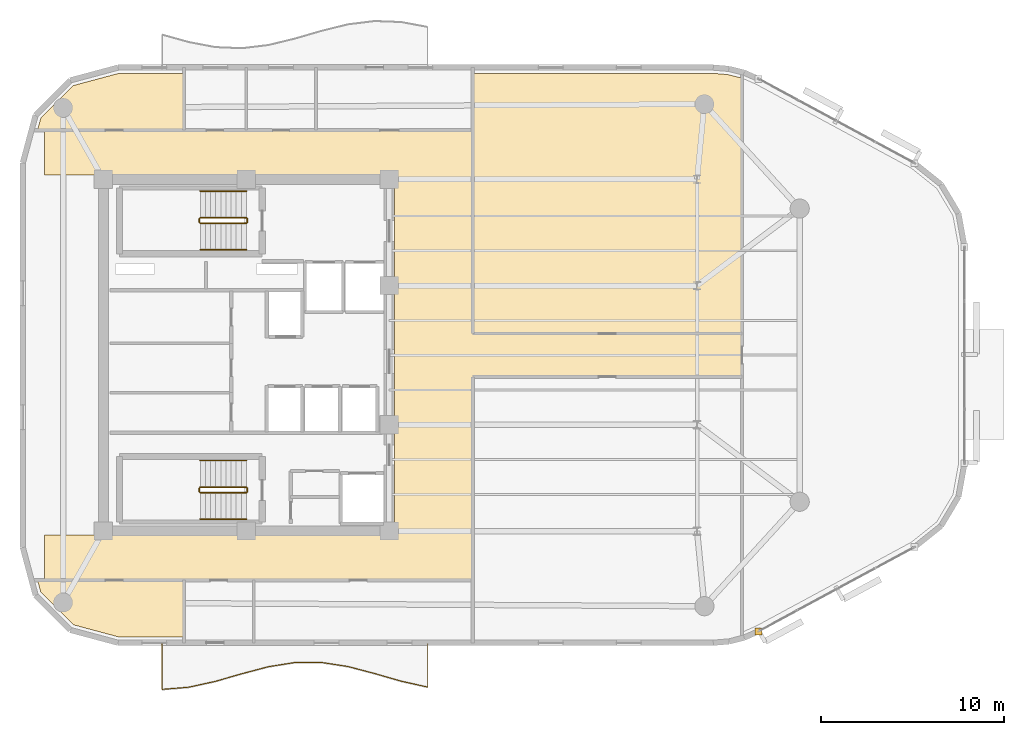
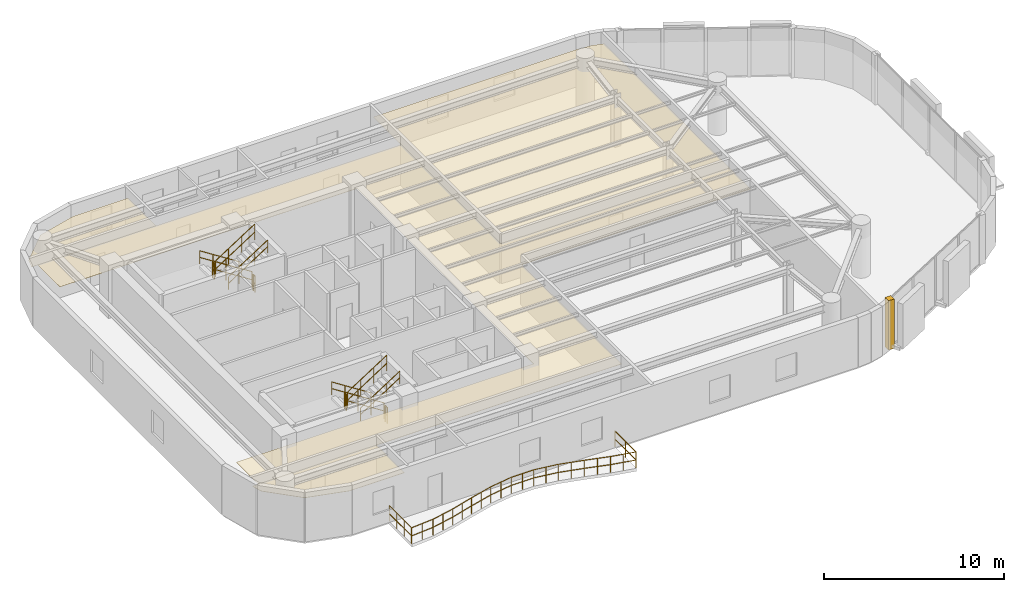
# One storey, part 12 of 13: 13 railings, 5 coverings.
"""IFC4 building model written with IfcOpenShell, lengths in metres."""

from ifc_helpers import new_model, si_unit, direction, frame, origin, origin_2d, place, context, subcontext, project, spatial, polyline, rectangle, circle, outline, extrude, material, layer, layer_set, type_object, element, save


model = new_model("IFC4")

# Units and contexts
model_context = context("Model", 3, precision=1e-05, world=origin(), true_north=direction((0.0, 1.0)))
body_context = subcontext(model_context, "Body", "Model", "MODEL_VIEW")
ifc_project = project(units=[si_unit("LENGTHUNIT", "METRE"), si_unit("AREAUNIT", "SQUARE_METRE"), si_unit("VOLUMEUNIT", "CUBIC_METRE"), si_unit("PLANEANGLEUNIT", "RADIAN"), si_unit("MASSUNIT", "GRAM", prefix="KILO")], contexts=[model_context])

# Site, building, storey
site_placement = place(None, origin())
site = spatial("IfcSite", under=ifc_project, at=site_placement, CompositionType="ELEMENT")
building_placement = place(site_placement, origin())
building = spatial("IfcBuilding", under=site, at=building_placement, Name="An Khanh Terracotta Commons", CompositionType="ELEMENT")
storey_placement = place(building_placement, frame((0.0, 0.0, 244.5)))
storey = spatial("IfcBuildingStorey", under=building, at=storey_placement, Name="L64", CompositionType="ELEMENT", Elevation=244.5)

# Coverings
ifc_material_1 = material(Name="Perforated Mineral-Fibre Acoustic Tile")
ifc_layer_1 = layer(ifc_material_1, 0.02001953125, Name="Perforated Mineral-Fibre Acoustic Tile")
ifc_layer_set_1 = layer_set([ifc_layer_1], Name="Perforated Mineral-Fibre Acoustic Tile")
covering_type_1 = type_object("IfcCoveringType", Name="CEIL-ACOUSTIC-18", PredefinedType="CEILING", material=ifc_layer_set_1)
covering_1_placement = place(storey_placement, frame((0.0, 0.0, 2.64990234375)))
element("IfcCovering", 1, at=covering_1_placement, inside=storey, type_object=covering_type_1, Name="L64 Corridor Ceiling", PredefinedType="CEILING", context=body_context, shape_type="SweptSolid", body=[
    extrude(outline(polyline([(18.39990234375, 11.719970703125), (18.39990234375, 14.179931640625), (37.5, 14.179931640625), (37.5, 33.820068359375), (18.39990234375, 33.820068359375), (18.39990234375, 36.280029296875), (37.5, 36.280029296875), (41.75, 36.280029296875), (41.75, 33.820068359375), (41.75, 25.179931640625), (56.449951171875, 25.179931640625), (56.449951171875, 22.820068359375), (41.75, 22.820068359375), (41.75, 14.179931640625), (41.75, 11.719970703125), (37.5, 11.719970703125), (18.39990234375, 11.719970703125)])), origin(), (0.0, 0.0, 1.0), 0.02001953125),
])
covering_2_placement = place(storey_placement, frame((0.0, 0.0, 2.64990234375)))
element("IfcCovering", 2, at=covering_2_placement, inside=storey, type_object=covering_type_1, Name="L64 Collaborative Study Lounge Ceiling", PredefinedType="CEILING", context=body_context, shape_type="SweptSolid", body=[
    extrude(outline(polyline([(54.8720703125, 39.3798828125), (55.68701171875, 39.31201171875), (56.449951171875, 39.1201171875), (56.449951171875, 25.179931640625), (41.75, 25.179931640625), (41.75, 33.820068359375), (41.75, 36.280029296875), (41.75, 39.3798828125), (54.8720703125, 39.3798828125)])), origin(), (0.0, 0.0, 1.0), 0.02001953125),
])
covering_3_placement = place(storey_placement, frame((0.0, 0.0, 2.64990234375)))
element("IfcCovering", 3, at=covering_3_placement, inside=storey, type_object=covering_type_1, Name="L64 Student Reading Library Ceiling", PredefinedType="CEILING", context=body_context, shape_type="SweptSolid", body=[
    extrude(outline(polyline([(22.44189453125, 39.3798828125), (26.0, 39.3798828125), (26.0, 39.35009765625), (26.0, 36.280029296875), (18.39990234375, 36.280029296875), (18.008056640625, 36.280029296875), (18.18408203125, 36.93408203125), (19.966064453125, 38.716064453125), (22.44189453125, 39.3798828125)])), origin(), (0.0, 0.0, 1.0), 0.02001953125),
])
covering_4_placement = place(storey_placement, frame((0.0, 0.0, 2.64990234375)))
element("IfcCovering", 4, at=covering_4_placement, inside=storey, type_object=covering_type_1, Name="L64 Academic Seminar Room Ceiling", PredefinedType="CEILING", context=body_context, shape_type="SweptSolid", body=[
    extrude(outline(polyline([(22.44189453125, 8.6201171875), (19.966064453125, 9.283935546875), (18.18408203125, 11.06591796875), (18.008056640625, 11.719970703125), (18.39990234375, 11.719970703125), (26.0, 11.719970703125), (26.0, 8.64990234375), (26.0, 8.6201171875), (22.44189453125, 8.6201171875)])), origin(), (0.0, 0.0, 1.0), 0.02001953125),
])
ifc_material_2 = material(Name="Fired Terracotta Rainscreen Cladding", Category="masonry")
ifc_layer_2 = layer(ifc_material_2, 0.080078125, Name="Fired Terracotta Rainscreen Cladding")
ifc_layer_set_2 = layer_set([ifc_layer_2], Name="Fired Terracotta Rainscreen Cladding")
covering_type_2 = type_object("IfcCoveringType", Name="COV-JAMB-TERRA", PredefinedType="CLADDING", material=ifc_layer_set_2)
covering_5_placement = place(storey_placement, frame((57.35693359375, 8.925048828125, 0.0), z_axis=(0.0, 0.0, 1.0), x_axis=(1.0, 0.0, 0.0)))
element("IfcCovering", 5, at=covering_5_placement, inside=storey, type_object=covering_type_2, Name="L64 CW-03 Curtain-Wall Jamb Closure JA", PredefinedType="CLADDING", context=body_context, shape_type="SweptSolid", body=[
    extrude(rectangle(XDim=0.3798828125, YDim=0.3798828125, at=origin_2d()), origin(), (0.0, 0.0, 1.0), 3.360107421875),
])

# Railings
ifc_material_3 = material(Name="Brushed Stainless Steel 316", Category="steel")
railing_type_1 = type_object("IfcRailingType", Name="RAIL-BALUSTRADE-1100", PredefinedType="BALUSTRADE", material=ifc_material_3)
railing_1_placement = place(storey_placement, frame((24.800048828125, 8.239990234375, 0.0)))
element("IfcRailing", 6, at=railing_1_placement, inside=storey, type_object=railing_type_1, Name="L64 S Wave Balcony Guard Balustrade", PredefinedType="BALUSTRADE", context=body_context, shape_type="SweptSolid", body=[
    extrude(circle(Radius=0.02392578125, at=origin_2d()), frame((0.0, 0.0, 1.076171875), z_axis=(0.0, -1.0, 0.0), x_axis=(1.0, 0.0, 0.0)), (0.0, 0.0, 1.0), 2.47998046875),
    extrude(circle(Radius=0.02392578125, at=origin_2d()), frame((0.0, 0.0, 0.52587890625), z_axis=(0.0, -1.0, 0.0), x_axis=(1.0, 0.0, 0.0)), (0.0, 0.0, 1.0), 2.47998046875),
    extrude(circle(Radius=0.02392578125, at=origin_2d()), frame((0.0, -2.47998046875, 1.076171875), z_axis=(0.996709288689, 0.081059199602, 0.0), x_axis=(-0.081059199602, 0.996709288689, 0.0)), (0.0, 0.0, 1.0), 1.454833984375),
    extrude(circle(Radius=0.02392578125, at=origin_2d()), frame((0.0, -2.47998046875, 0.52587890625), z_axis=(0.996709288689, 0.081059199602, 0.0), x_axis=(-0.081059199602, 0.996709288689, 0.0)), (0.0, 0.0, 1.0), 1.454833984375),
    extrude(circle(Radius=0.02392578125, at=origin_2d()), frame((1.449951171875, -2.362060546875, 1.076171875), z_axis=(0.976767859209, 0.214300138163, 0.0), x_axis=(-0.214300138163, 0.976767859209, 0.0)), (0.0, 0.0, 1.0), 1.484375),
    extrude(circle(Radius=0.02392578125, at=origin_2d()), frame((1.449951171875, -2.362060546875, 0.52587890625), z_axis=(0.976767859209, 0.214300138163, 0.0), x_axis=(-0.214300138163, 0.976767859209, 0.0)), (0.0, 0.0, 1.0), 1.484375),
    extrude(circle(Radius=0.02392578125, at=origin_2d()), frame((2.89990234375, -2.0439453125, 1.076171875), z_axis=(0.961046203514, 0.276387761509, 0.0), x_axis=(-0.276387761509, 0.961046203514, 0.0)), (0.0, 0.0, 1.0), 1.5087890625),
    extrude(circle(Radius=0.02392578125, at=origin_2d()), frame((2.89990234375, -2.0439453125, 0.52587890625), z_axis=(0.961046203514, 0.276387761509, 0.0), x_axis=(-0.276387761509, 0.961046203514, 0.0)), (0.0, 0.0, 1.0), 1.5087890625),
    extrude(circle(Radius=0.02392578125, at=origin_2d()), frame((4.349853515625, -1.626953125, 1.076171875), z_axis=(0.966679173832, 0.255990966404, 0.0), x_axis=(-0.255990966404, 0.966679173832, 0.0)), (0.0, 0.0, 1.0), 1.500244140625),
    extrude(circle(Radius=0.02392578125, at=origin_2d()), frame((4.349853515625, -1.626953125, 0.52587890625), z_axis=(0.966679173832, 0.255990966404, 0.0), x_axis=(-0.255990966404, 0.966679173832, 0.0)), (0.0, 0.0, 1.0), 1.500244140625),
    extrude(circle(Radius=0.02392578125, at=origin_2d()), frame((5.800048828125, -1.242919921875, 1.076171875), z_axis=(0.987550382768, 0.157303024431, 0.0), x_axis=(-0.157303024431, 0.987550382768, 0.0)), (0.0, 0.0, 1.0), 1.46826171875),
    extrude(circle(Radius=0.02392578125, at=origin_2d()), frame((5.800048828125, -1.242919921875, 0.52587890625), z_axis=(0.987550382768, 0.157303024431, 0.0), x_axis=(-0.157303024431, 0.987550382768, 0.0)), (0.0, 0.0, 1.0), 1.46826171875),
    extrude(circle(Radius=0.02392578125, at=origin_2d()), frame((7.25, -1.011962890625, 1.076171875), z_axis=(0.99999637105, 0.002694046462, 0.0), x_axis=(-0.002694046462, 0.99999637105, 0.0)), (0.0, 0.0, 1.0), 1.449951171875),
    extrude(circle(Radius=0.02392578125, at=origin_2d()), frame((7.25, -1.011962890625, 0.52587890625), z_axis=(0.99999637105, 0.002694046462, 0.0), x_axis=(-0.002694046462, 0.99999637105, 0.0)), (0.0, 0.0, 1.0), 1.449951171875),
    extrude(circle(Radius=0.02392578125, at=origin_2d()), frame((8.699951171875, -1.008056640625, 1.076171875), z_axis=(0.988288829033, -0.152594857084, 0.0), x_axis=(0.152594857084, 0.988288829033, 0.0)), (0.0, 0.0, 1.0), 1.467041015625),
    extrude(circle(Radius=0.02392578125, at=origin_2d()), frame((8.699951171875, -1.008056640625, 0.52587890625), z_axis=(0.988288829033, -0.152594857084, 0.0), x_axis=(0.152594857084, 0.988288829033, 0.0)), (0.0, 0.0, 1.0), 1.467041015625),
    extrude(circle(Radius=0.02392578125, at=origin_2d()), frame((10.14990234375, -1.23193359375, 1.076171875), z_axis=(0.96715043339, -0.254204719064, 0.0), x_axis=(0.254204719064, 0.96715043339, 0.0)), (0.0, 0.0, 1.0), 1.499267578125),
    extrude(circle(Radius=0.02392578125, at=origin_2d()), frame((10.14990234375, -1.23193359375, 0.52587890625), z_axis=(0.96715043339, -0.254204719064, 0.0), x_axis=(0.254204719064, 0.96715043339, 0.0)), (0.0, 0.0, 1.0), 1.499267578125),
    extrude(circle(Radius=0.02392578125, at=origin_2d()), frame((11.599853515625, -1.613037109375, 1.076171875), z_axis=(0.960886527321, -0.276942379591, 0.0), x_axis=(0.276942379591, 0.960886527321, 0.0)), (0.0, 0.0, 1.0), 1.50927734375),
    extrude(circle(Radius=0.02392578125, at=origin_2d()), frame((11.599853515625, -1.613037109375, 0.52587890625), z_axis=(0.960886527321, -0.276942379591, 0.0), x_axis=(0.276942379591, 0.960886527321, 0.0)), (0.0, 0.0, 1.0), 1.50927734375),
    extrude(circle(Radius=0.02392578125, at=origin_2d()), frame((13.050048828125, -2.031005859375, 1.076171875), z_axis=(0.97607478502, -0.217435080078, 0.0), x_axis=(0.217435080078, 0.97607478502, 0.0)), (0.0, 0.0, 1.0), 1.485595703125),
    extrude(circle(Radius=0.02392578125, at=origin_2d()), frame((13.050048828125, -2.031005859375, 0.52587890625), z_axis=(0.97607478502, -0.217435080078, 0.0), x_axis=(0.217435080078, 0.97607478502, 0.0)), (0.0, 0.0, 1.0), 1.485595703125),
    extrude(circle(Radius=0.02392578125, at=origin_2d()), frame((14.5, -2.35400390625, 1.076171875), z_axis=(0.0, 1.0, 0.0), x_axis=(-1.0, 0.0, 0.0)), (0.0, 0.0, 1.0), 2.35400390625),
    extrude(circle(Radius=0.02392578125, at=origin_2d()), frame((14.5, -2.35400390625, 0.52587890625), z_axis=(0.0, 1.0, 0.0), x_axis=(-1.0, 0.0, 0.0)), (0.0, 0.0, 1.0), 2.35400390625),
    extrude(circle(Radius=0.02099609375, at=origin_2d()), origin(), (0.0, 0.0, 1.0), 1.052001953125),
    extrude(circle(Radius=0.02099609375, at=origin_2d()), frame((0.0, -0.82666015625, 0.0)), (0.0, 0.0, 1.0), 1.052001953125),
    extrude(circle(Radius=0.02099609375, at=origin_2d()), frame((0.0, -1.6533203125, 0.0)), (0.0, 0.0, 1.0), 1.052001953125),
    extrude(circle(Radius=0.02099609375, at=origin_2d()), frame((0.0, -2.47998046875, 0.0)), (0.0, 0.0, 1.0), 1.052001953125),
    extrude(circle(Radius=0.02099609375, at=origin_2d()), frame((0.72509765625, -2.4208984375, 0.0)), (0.0, 0.0, 1.0), 1.052001953125),
    extrude(circle(Radius=0.02099609375, at=origin_2d()), frame((1.449951171875, -2.362060546875, 0.0)), (0.0, 0.0, 1.0), 1.052001953125),
    extrude(circle(Radius=0.02099609375, at=origin_2d()), frame((2.1748046875, -2.203125, 0.0)), (0.0, 0.0, 1.0), 1.052001953125),
    extrude(circle(Radius=0.02099609375, at=origin_2d()), frame((2.89990234375, -2.0439453125, 0.0)), (0.0, 0.0, 1.0), 1.052001953125),
    extrude(circle(Radius=0.02099609375, at=origin_2d()), frame((3.625, -1.83544921875, 0.0)), (0.0, 0.0, 1.0), 1.052001953125),
    extrude(circle(Radius=0.02099609375, at=origin_2d()), frame((4.349853515625, -1.626953125, 0.0)), (0.0, 0.0, 1.0), 1.052001953125),
    extrude(circle(Radius=0.02099609375, at=origin_2d()), frame((5.074951171875, -1.43505859375, 0.0)), (0.0, 0.0, 1.0), 1.052001953125),
    extrude(circle(Radius=0.02099609375, at=origin_2d()), frame((5.800048828125, -1.242919921875, 0.0)), (0.0, 0.0, 1.0), 1.052001953125),
    extrude(circle(Radius=0.02099609375, at=origin_2d()), frame((6.52490234375, -1.12744140625, 0.0)), (0.0, 0.0, 1.0), 1.052001953125),
    extrude(circle(Radius=0.02099609375, at=origin_2d()), frame((7.25, -1.011962890625, 0.0)), (0.0, 0.0, 1.0), 1.052001953125),
    extrude(circle(Radius=0.02099609375, at=origin_2d()), frame((7.97509765625, -1.010009765625, 0.0)), (0.0, 0.0, 1.0), 1.052001953125),
    extrude(circle(Radius=0.02099609375, at=origin_2d()), frame((8.699951171875, -1.008056640625, 0.0)), (0.0, 0.0, 1.0), 1.052001953125),
    extrude(circle(Radius=0.02099609375, at=origin_2d()), frame((9.4248046875, -1.1201171875, 0.0)), (0.0, 0.0, 1.0), 1.052001953125),
    extrude(circle(Radius=0.02099609375, at=origin_2d()), frame((10.14990234375, -1.23193359375, 0.0)), (0.0, 0.0, 1.0), 1.052001953125),
    extrude(circle(Radius=0.02099609375, at=origin_2d()), frame((10.875, -1.42236328125, 0.0)), (0.0, 0.0, 1.0), 1.052001953125),
    extrude(circle(Radius=0.02099609375, at=origin_2d()), frame((11.599853515625, -1.613037109375, 0.0)), (0.0, 0.0, 1.0), 1.052001953125),
    extrude(circle(Radius=0.02099609375, at=origin_2d()), frame((12.324951171875, -1.822021484375, 0.0)), (0.0, 0.0, 1.0), 1.052001953125),
    extrude(circle(Radius=0.02099609375, at=origin_2d()), frame((13.050048828125, -2.031005859375, 0.0)), (0.0, 0.0, 1.0), 1.052001953125),
    extrude(circle(Radius=0.02099609375, at=origin_2d()), frame((13.77490234375, -2.1923828125, 0.0)), (0.0, 0.0, 1.0), 1.052001953125),
    extrude(circle(Radius=0.02099609375, at=origin_2d()), frame((14.5, -2.35400390625, 0.0)), (0.0, 0.0, 1.0), 1.052001953125),
    extrude(circle(Radius=0.02099609375, at=origin_2d()), frame((14.5, -1.177001953125, 0.0)), (0.0, 0.0, 1.0), 1.052001953125),
    extrude(circle(Radius=0.02099609375, at=origin_2d()), frame((14.5, 0.0, 0.0)), (0.0, 0.0, 1.0), 1.052001953125),
])
railing_type_2 = type_object("IfcRailingType", Name="RAIL-HANDRAIL-900", PredefinedType="HANDRAIL", material=ifc_material_3)
railing_2_placement = place(storey_placement, frame((29.409912109375, 32.949951171875, 0.179931640625)))
element("IfcRailing", 7, at=railing_2_placement, inside=storey, type_object=railing_type_2, Name="L64 ST-01 stair handrail 1", PredefinedType="HANDRAIL", context=body_context, shape_type="SweptSolid", body=[
    extrude(circle(Radius=0.02392578125, at=origin_2d()), frame((0.0, 0.0, 0.8759765625), z_axis=(-0.841162588446, 0.0, 0.540782303519), x_axis=(0.0, -1.0, 0.0)), (0.0, 0.0, 1.0), 2.995849609375),
    extrude(circle(Radius=0.02392578125, at=origin_2d()), frame((0.0, 0.0, 0.42578125), z_axis=(-0.841162588446, 0.0, 0.540782303519), x_axis=(0.0, -1.0, 0.0)), (0.0, 0.0, 1.0), 2.995849609375),
    extrude(circle(Radius=0.02099609375, at=origin_2d()), origin(), (0.0, 0.0, 1.0), 0.851806640625),
    extrude(circle(Radius=0.02099609375, at=origin_2d()), frame((-0.840087890625, 0.0, 0.5400390625)), (0.0, 0.0, 1.0), 0.851806640625),
    extrude(circle(Radius=0.02099609375, at=origin_2d()), frame((-1.679931640625, 0.0, 1.080078125)), (0.0, 0.0, 1.0), 0.851806640625),
    extrude(circle(Radius=0.02099609375, at=origin_2d()), frame((-2.52001953125, 0.0, 1.6201171875)), (0.0, 0.0, 1.0), 0.851806640625),
])
railing_3_placement = place(storey_placement, frame((26.889892578125, 29.75, 1.97998046875)))
element("IfcRailing", 8, at=railing_3_placement, inside=storey, type_object=railing_type_2, Name="L64 ST-01 stair handrail 2", PredefinedType="HANDRAIL", context=body_context, shape_type="SweptSolid", body=[
    extrude(circle(Radius=0.02392578125, at=origin_2d()), frame((0.0, 0.0, 0.8759765625), z_axis=(0.841162588446, 0.0, 0.540782303519), x_axis=(0.0, 1.0, 0.0)), (0.0, 0.0, 1.0), 2.995849609375),
    extrude(circle(Radius=0.02392578125, at=origin_2d()), frame((0.0, 0.0, 0.42578125), z_axis=(0.841162588446, 0.0, 0.540782303519), x_axis=(0.0, 1.0, 0.0)), (0.0, 0.0, 1.0), 2.995849609375),
    extrude(circle(Radius=0.02099609375, at=origin_2d()), origin(), (0.0, 0.0, 1.0), 0.851806640625),
    extrude(circle(Radius=0.02099609375, at=origin_2d()), frame((0.840087890625, 0.0, 0.5400390625)), (0.0, 0.0, 1.0), 0.851806640625),
    extrude(circle(Radius=0.02099609375, at=origin_2d()), frame((1.679931640625, 0.0, 1.080078125)), (0.0, 0.0, 1.0), 0.851806640625),
    extrude(circle(Radius=0.02099609375, at=origin_2d()), frame((2.52001953125, 0.0, 1.6201171875)), (0.0, 0.0, 1.0), 0.851806640625),
])
railing_4_placement = place(storey_placement, frame((29.409912109375, 18.25, 0.179931640625)))
element("IfcRailing", 9, at=railing_4_placement, inside=storey, type_object=railing_type_2, Name="L64 ST-02 stair handrail 1", PredefinedType="HANDRAIL", context=body_context, shape_type="SweptSolid", body=[
    extrude(circle(Radius=0.02392578125, at=origin_2d()), frame((0.0, 0.0, 0.8759765625), z_axis=(-0.841162588446, 0.0, 0.540782303519), x_axis=(0.0, -1.0, 0.0)), (0.0, 0.0, 1.0), 2.995849609375),
    extrude(circle(Radius=0.02392578125, at=origin_2d()), frame((0.0, 0.0, 0.42578125), z_axis=(-0.841162588446, 0.0, 0.540782303519), x_axis=(0.0, -1.0, 0.0)), (0.0, 0.0, 1.0), 2.995849609375),
    extrude(circle(Radius=0.02099609375, at=origin_2d()), origin(), (0.0, 0.0, 1.0), 0.851806640625),
    extrude(circle(Radius=0.02099609375, at=origin_2d()), frame((-0.840087890625, 0.0, 0.5400390625)), (0.0, 0.0, 1.0), 0.851806640625),
    extrude(circle(Radius=0.02099609375, at=origin_2d()), frame((-1.679931640625, 0.0, 1.080078125)), (0.0, 0.0, 1.0), 0.851806640625),
    extrude(circle(Radius=0.02099609375, at=origin_2d()), frame((-2.52001953125, 0.0, 1.6201171875)), (0.0, 0.0, 1.0), 0.851806640625),
])
railing_5_placement = place(storey_placement, frame((26.889892578125, 15.050048828125, 1.97998046875)))
element("IfcRailing", 10, at=railing_5_placement, inside=storey, type_object=railing_type_2, Name="L64 ST-02 stair handrail 2", PredefinedType="HANDRAIL", context=body_context, shape_type="SweptSolid", body=[
    extrude(circle(Radius=0.02392578125, at=origin_2d()), frame((0.0, 0.0, 0.8759765625), z_axis=(0.841162588446, 0.0, 0.540782303519), x_axis=(0.0, 1.0, 0.0)), (0.0, 0.0, 1.0), 2.995849609375),
    extrude(circle(Radius=0.02392578125, at=origin_2d()), frame((0.0, 0.0, 0.42578125), z_axis=(0.841162588446, 0.0, 0.540782303519), x_axis=(0.0, 1.0, 0.0)), (0.0, 0.0, 1.0), 2.995849609375),
    extrude(circle(Radius=0.02099609375, at=origin_2d()), origin(), (0.0, 0.0, 1.0), 0.851806640625),
    extrude(circle(Radius=0.02099609375, at=origin_2d()), frame((0.840087890625, 0.0, 0.5400390625)), (0.0, 0.0, 1.0), 0.851806640625),
    extrude(circle(Radius=0.02099609375, at=origin_2d()), frame((1.679931640625, 0.0, 1.080078125)), (0.0, 0.0, 1.0), 0.851806640625),
    extrude(circle(Radius=0.02099609375, at=origin_2d()), frame((2.52001953125, 0.0, 1.6201171875)), (0.0, 0.0, 1.0), 0.851806640625),
])
ifc_material_4 = material(Name="Powder-Coated Steel S355J2", Category="steel")
railing_type_3 = type_object("IfcRailingType", Name="RAIL-STAIR-GUARD-1100", PredefinedType="BALUSTRADE", material=ifc_material_4)
railing_6_placement = place(storey_placement, frame((29.409912109375, 31.5, 0.179931640625)))
element("IfcRailing", 11, at=railing_6_placement, inside=storey, type_object=railing_type_3, Name="L64 ST-01 stair guard 1", PredefinedType="BALUSTRADE", context=body_context, shape_type="SweptSolid", body=[
    extrude(circle(Radius=0.02392578125, at=origin_2d()), frame((0.0, 0.0, 1.076171875), z_axis=(-0.841162588446, 0.0, 0.540782303519), x_axis=(0.0, -1.0, 0.0)), (0.0, 0.0, 1.0), 2.995849609375),
    extrude(circle(Radius=0.02392578125, at=origin_2d()), frame((0.0, 0.0, 0.52587890625), z_axis=(-0.841162588446, 0.0, 0.540782303519), x_axis=(0.0, -1.0, 0.0)), (0.0, 0.0, 1.0), 2.995849609375),
    extrude(circle(Radius=0.02099609375, at=origin_2d()), origin(), (0.0, 0.0, 1.0), 1.052001953125),
    extrude(circle(Radius=0.02099609375, at=origin_2d()), frame((-0.840087890625, 0.0, 0.5400390625)), (0.0, 0.0, 1.0), 1.052001953125),
    extrude(circle(Radius=0.02099609375, at=origin_2d()), frame((-1.679931640625, 0.0, 1.080078125)), (0.0, 0.0, 1.0), 1.052001953125),
    extrude(circle(Radius=0.02099609375, at=origin_2d()), frame((-2.52001953125, 0.0, 1.6201171875)), (0.0, 0.0, 1.0), 1.052001953125),
])
railing_7_placement = place(storey_placement, frame((26.840087890625, 31.449951171875, 1.800048828125)))
element("IfcRailing", 12, at=railing_7_placement, inside=storey, type_object=railing_type_3, Name="L64 ST-01 stair guard 2", PredefinedType="BALUSTRADE", context=body_context, shape_type="SweptSolid", body=[
    extrude(circle(Radius=0.02392578125, at=origin_2d()), frame((0.0, 0.0, 1.076171875), z_axis=(0.0, -1.0, 0.0), x_axis=(1.0, 0.0, 0.0)), (0.0, 0.0, 1.0), 0.199951171875),
    extrude(circle(Radius=0.02392578125, at=origin_2d()), frame((0.0, 0.0, 0.52587890625), z_axis=(0.0, -1.0, 0.0), x_axis=(1.0, 0.0, 0.0)), (0.0, 0.0, 1.0), 0.199951171875),
    extrude(circle(Radius=0.02099609375, at=origin_2d()), origin(), (0.0, 0.0, 1.0), 1.052001953125),
    extrude(circle(Radius=0.02099609375, at=origin_2d()), frame((0.0, -0.199951171875, 0.0)), (0.0, 0.0, 1.0), 1.052001953125),
])
railing_8_placement = place(storey_placement, frame((26.889892578125, 31.199951171875, 1.97998046875)))
element("IfcRailing", 13, at=railing_8_placement, inside=storey, type_object=railing_type_3, Name="L64 ST-01 stair guard 3", PredefinedType="BALUSTRADE", context=body_context, shape_type="SweptSolid", body=[
    extrude(circle(Radius=0.02392578125, at=origin_2d()), frame((0.0, 0.0, 1.076171875), z_axis=(0.841162588446, 0.0, 0.540782303519), x_axis=(0.0, 1.0, 0.0)), (0.0, 0.0, 1.0), 2.995849609375),
    extrude(circle(Radius=0.02392578125, at=origin_2d()), frame((0.0, 0.0, 0.52587890625), z_axis=(0.841162588446, 0.0, 0.540782303519), x_axis=(0.0, 1.0, 0.0)), (0.0, 0.0, 1.0), 2.995849609375),
    extrude(circle(Radius=0.02099609375, at=origin_2d()), origin(), (0.0, 0.0, 1.0), 1.052001953125),
    extrude(circle(Radius=0.02099609375, at=origin_2d()), frame((0.840087890625, 0.0, 0.5400390625)), (0.0, 0.0, 1.0), 1.052001953125),
    extrude(circle(Radius=0.02099609375, at=origin_2d()), frame((1.679931640625, 0.0, 1.080078125)), (0.0, 0.0, 1.0), 1.052001953125),
    extrude(circle(Radius=0.02099609375, at=origin_2d()), frame((2.52001953125, 0.0, 1.6201171875)), (0.0, 0.0, 1.0), 1.052001953125),
])
railing_9_placement = place(storey_placement, frame((29.4599609375, 31.449951171875, 0.0)))
element("IfcRailing", 14, at=railing_9_placement, inside=storey, type_object=railing_type_3, Name="L64 ST-01 stair guard 4", PredefinedType="BALUSTRADE", context=body_context, shape_type="SweptSolid", body=[
    extrude(circle(Radius=0.02392578125, at=origin_2d()), frame((0.0, 0.0, 1.076171875), z_axis=(0.0, -1.0, 0.0), x_axis=(1.0, 0.0, 0.0)), (0.0, 0.0, 1.0), 0.199951171875),
    extrude(circle(Radius=0.02392578125, at=origin_2d()), frame((0.0, 0.0, 0.52587890625), z_axis=(0.0, -1.0, 0.0), x_axis=(1.0, 0.0, 0.0)), (0.0, 0.0, 1.0), 0.199951171875),
    extrude(circle(Radius=0.02099609375, at=origin_2d()), origin(), (0.0, 0.0, 1.0), 1.052001953125),
    extrude(circle(Radius=0.02099609375, at=origin_2d()), frame((0.0, -0.199951171875, 0.0)), (0.0, 0.0, 1.0), 1.052001953125),
])
railing_10_placement = place(storey_placement, frame((29.409912109375, 16.800048828125, 0.179931640625)))
element("IfcRailing", 15, at=railing_10_placement, inside=storey, type_object=railing_type_3, Name="L64 ST-02 stair guard 1", PredefinedType="BALUSTRADE", context=body_context, shape_type="SweptSolid", body=[
    extrude(circle(Radius=0.02392578125, at=origin_2d()), frame((0.0, 0.0, 1.076171875), z_axis=(-0.841162588446, 0.0, 0.540782303519), x_axis=(0.0, -1.0, 0.0)), (0.0, 0.0, 1.0), 2.995849609375),
    extrude(circle(Radius=0.02392578125, at=origin_2d()), frame((0.0, 0.0, 0.52587890625), z_axis=(-0.841162588446, 0.0, 0.540782303519), x_axis=(0.0, -1.0, 0.0)), (0.0, 0.0, 1.0), 2.995849609375),
    extrude(circle(Radius=0.02099609375, at=origin_2d()), origin(), (0.0, 0.0, 1.0), 1.052001953125),
    extrude(circle(Radius=0.02099609375, at=origin_2d()), frame((-0.840087890625, 0.0, 0.5400390625)), (0.0, 0.0, 1.0), 1.052001953125),
    extrude(circle(Radius=0.02099609375, at=origin_2d()), frame((-1.679931640625, 0.0, 1.080078125)), (0.0, 0.0, 1.0), 1.052001953125),
    extrude(circle(Radius=0.02099609375, at=origin_2d()), frame((-2.52001953125, 0.0, 1.6201171875)), (0.0, 0.0, 1.0), 1.052001953125),
])
railing_11_placement = place(storey_placement, frame((26.840087890625, 16.75, 1.800048828125)))
element("IfcRailing", 16, at=railing_11_placement, inside=storey, type_object=railing_type_3, Name="L64 ST-02 stair guard 2", PredefinedType="BALUSTRADE", context=body_context, shape_type="SweptSolid", body=[
    extrude(circle(Radius=0.02392578125, at=origin_2d()), frame((0.0, 0.0, 1.076171875), z_axis=(0.0, -1.0, 0.0), x_axis=(1.0, 0.0, 0.0)), (0.0, 0.0, 1.0), 0.199951171875),
    extrude(circle(Radius=0.02392578125, at=origin_2d()), frame((0.0, 0.0, 0.52587890625), z_axis=(0.0, -1.0, 0.0), x_axis=(1.0, 0.0, 0.0)), (0.0, 0.0, 1.0), 0.199951171875),
    extrude(circle(Radius=0.02099609375, at=origin_2d()), origin(), (0.0, 0.0, 1.0), 1.052001953125),
    extrude(circle(Radius=0.02099609375, at=origin_2d()), frame((0.0, -0.199951171875, 0.0)), (0.0, 0.0, 1.0), 1.052001953125),
])
railing_12_placement = place(storey_placement, frame((26.889892578125, 16.5, 1.97998046875)))
element("IfcRailing", 17, at=railing_12_placement, inside=storey, type_object=railing_type_3, Name="L64 ST-02 stair guard 3", PredefinedType="BALUSTRADE", context=body_context, shape_type="SweptSolid", body=[
    extrude(circle(Radius=0.02392578125, at=origin_2d()), frame((0.0, 0.0, 1.076171875), z_axis=(0.841162588446, 0.0, 0.540782303519), x_axis=(0.0, 1.0, 0.0)), (0.0, 0.0, 1.0), 2.995849609375),
    extrude(circle(Radius=0.02392578125, at=origin_2d()), frame((0.0, 0.0, 0.52587890625), z_axis=(0.841162588446, 0.0, 0.540782303519), x_axis=(0.0, 1.0, 0.0)), (0.0, 0.0, 1.0), 2.995849609375),
    extrude(circle(Radius=0.02099609375, at=origin_2d()), origin(), (0.0, 0.0, 1.0), 1.052001953125),
    extrude(circle(Radius=0.02099609375, at=origin_2d()), frame((0.840087890625, 0.0, 0.5400390625)), (0.0, 0.0, 1.0), 1.052001953125),
    extrude(circle(Radius=0.02099609375, at=origin_2d()), frame((1.679931640625, 0.0, 1.080078125)), (0.0, 0.0, 1.0), 1.052001953125),
    extrude(circle(Radius=0.02099609375, at=origin_2d()), frame((2.52001953125, 0.0, 1.6201171875)), (0.0, 0.0, 1.0), 1.052001953125),
])
railing_13_placement = place(storey_placement, frame((29.4599609375, 16.75, 0.0)))
element("IfcRailing", 18, at=railing_13_placement, inside=storey, type_object=railing_type_3, Name="L64 ST-02 stair guard 4", PredefinedType="BALUSTRADE", context=body_context, shape_type="SweptSolid", body=[
    extrude(circle(Radius=0.02392578125, at=origin_2d()), frame((0.0, 0.0, 1.076171875), z_axis=(0.0, -1.0, 0.0), x_axis=(1.0, 0.0, 0.0)), (0.0, 0.0, 1.0), 0.199951171875),
    extrude(circle(Radius=0.02392578125, at=origin_2d()), frame((0.0, 0.0, 0.52587890625), z_axis=(0.0, -1.0, 0.0), x_axis=(1.0, 0.0, 0.0)), (0.0, 0.0, 1.0), 0.199951171875),
    extrude(circle(Radius=0.02099609375, at=origin_2d()), origin(), (0.0, 0.0, 1.0), 1.052001953125),
    extrude(circle(Radius=0.02099609375, at=origin_2d()), frame((0.0, -0.199951171875, 0.0)), (0.0, 0.0, 1.0), 1.052001953125),
])

save(model, "model.ifc")
